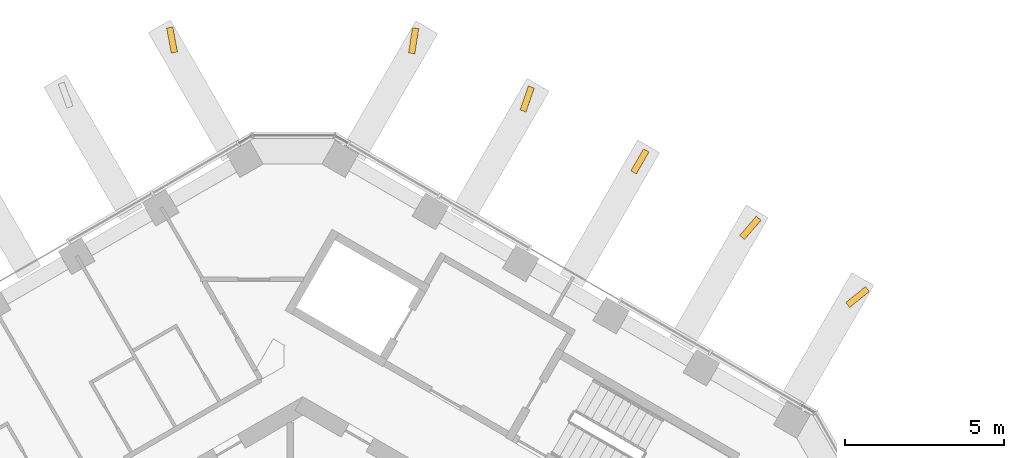
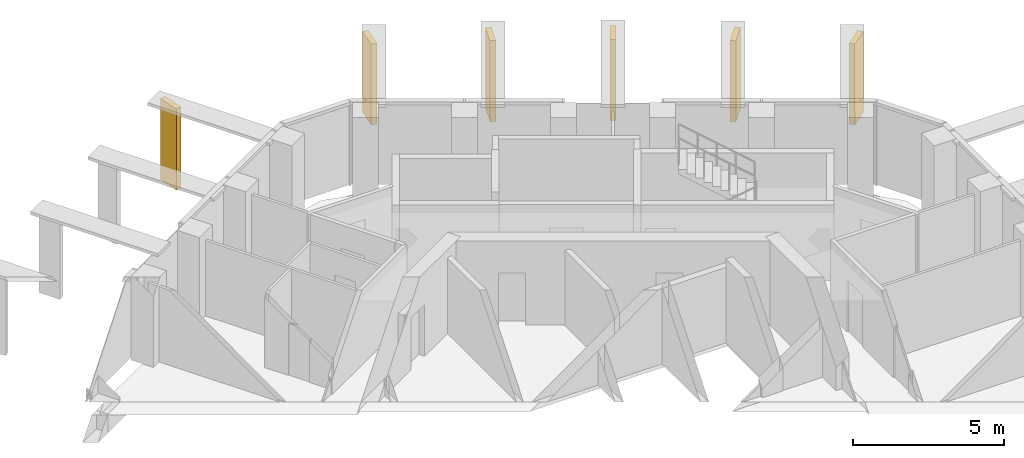
# One storey, part 19 of 19: 6 shading devices.
"""IFC4 building model written with IfcOpenShell, lengths in metres."""

from ifc_helpers import new_model, si_unit, direction, frame, origin, place, context, subcontext, project, spatial, polyline, outline, extrude, material, layer, layer_set, type_object, element, save


model = new_model("IFC4")

# Units and contexts
model_context = context("Model", 3, precision=1e-05, world=origin(), true_north=direction((0.0, 1.0)))
body_context = subcontext(model_context, "Body", "Model", "MODEL_VIEW")
ifc_project = project(units=[si_unit("LENGTHUNIT", "METRE"), si_unit("AREAUNIT", "SQUARE_METRE"), si_unit("VOLUMEUNIT", "CUBIC_METRE"), si_unit("PLANEANGLEUNIT", "RADIAN"), si_unit("MASSUNIT", "GRAM", prefix="KILO")], contexts=[model_context])

# Site, building, storey
site_placement = place(None, origin())
site = spatial("IfcSite", under=ifc_project, at=site_placement, CompositionType="ELEMENT")
building_placement = place(site_placement, origin())
building = spatial("IfcBuilding", under=site, at=building_placement, Name="Ayvan Gate Tower", CompositionType="ELEMENT")
storey_placement = place(building_placement, frame((0.0, 0.0, 235.89990234375)))
storey = spatial("IfcBuildingStorey", under=building, at=storey_placement, Name="L63", CompositionType="ELEMENT", Elevation=235.89990234375)

# Shading devices
ifc_material = material(Name="Bronze anodised aluminium", Category="aluminium")
ifc_layer = layer(ifc_material, 0.199951171875)
ifc_layer_set = layer_set([ifc_layer], Name="Bronze anodised aluminium")
shading_device_type = type_object("IfcShadingDeviceType", Name="Crown frame rib 800 x 200", PredefinedType="USERDEFINED", material=ifc_layer_set)
shading_device_1_placement = place(storey_placement, frame((-3.94384765625, 21.818115234375, 0.0), z_axis=(0.98320897077, 0.182482608479, 0.000466261187), x_axis=(-0.182482628315, 0.983209077645, 0.0)))
element("IfcShadingDevice", 1, at=shading_device_1_placement, inside=storey, type_object=shading_device_type, Name="CROWN FRAME rib FR01.3.1", ObjectType="FIN", PredefinedType="USERDEFINED", context=body_context, shape_type="SweptSolid", body=[
    extrude(outline(polyline([(0.0, 0.0), (0.8000547509531488, -1.3552527156068805e-20), (0.7998419769332763, 3.280029653413413), (-0.00021277401987265283, 3.280029653413413), (0.0, 0.0)])), origin(), (0.0, 0.0, -1.0), 0.199951171875),
])
shading_device_2_placement = place(storey_placement, frame((17.20654296875, 13.77490234375, 0.0), z_axis=(0.6285394745, -0.777777543464, 0.000471040311), x_axis=(0.77777762978, 0.628539544193, -1.01082e-07)))
element("IfcShadingDevice", 2, at=shading_device_2_placement, inside=storey, type_object=shading_device_type, Name="CROWN FRAME rib FR01.2.1", ObjectType="FIN", PredefinedType="USERDEFINED", context=body_context, shape_type="SweptSolid", body=[
    extrude(outline(polyline([(0.0, 0.0), (0.799980004834401, -2.710505431213761e-20), (0.799797497886252, 3.2800297416046886), (-0.0001460718686600794, 3.28002957988179), (0.0, 0.0)])), origin(), (0.0, 0.0, -1.0), 0.199951171875),
])
shading_device_3_placement = place(storey_placement, frame((13.896484375, 15.91455078125, 0.0), z_axis=(0.756297803784, -0.65422735175, 0.000451900614), x_axis=(0.654227418536, 0.75629788102, 4.5102e-08)))
element("IfcShadingDevice", 3, at=shading_device_3_placement, inside=storey, type_object=shading_device_type, Name="CROWN FRAME rib FR01.2.2", ObjectType="FIN", PredefinedType="USERDEFINED", context=body_context, shape_type="SweptSolid", body=[
    extrude(outline(polyline([(0.0, 0.0), (0.8001772540015584, -2.710505431213761e-20), (0.7999327135951397, 3.2800295957107344), (-5.9897369060182296e-05, 3.2800296678815504), (0.0, 0.0)])), origin(), (0.0, 0.0, -1.0), 0.199951171875),
])
shading_device_4_placement = place(storey_placement, frame((10.494384765625, 17.97705078125, 0.0), z_axis=(0.865989817046, -0.50006143268, 0.0004475696), x_axis=(0.50006148273, 0.865989903804, 9.3293e-08)))
element("IfcShadingDevice", 4, at=shading_device_4_placement, inside=storey, type_object=shading_device_type, Name="CROWN FRAME rib FR01.2.3", ObjectType="FIN", PredefinedType="USERDEFINED", context=body_context, shape_type="SweptSolid", body=[
    extrude(outline(polyline([(0.0, 0.0), (0.7999951307877236, 0.0), (0.7998078568104179, 3.2800295507837225), (-9.793598387938637e-05, 3.2800297000437157), (0.0, 0.0)])), origin(), (0.0, 0.0, -1.0), 0.199951171875),
])
shading_device_5_placement = place(storey_placement, frame((7.02294921875, 19.926513671875, 0.0), z_axis=(0.944768077695, -0.327739313774, 0.000470717313), x_axis=(0.327739350084, 0.944768182364, 0.0)))
element("IfcShadingDevice", 5, at=shading_device_5_placement, inside=storey, type_object=shading_device_type, Name="CROWN FRAME rib FR01.2.4", ObjectType="FIN", PredefinedType="USERDEFINED", context=body_context, shape_type="SweptSolid", body=[
    extrude(outline(polyline([(0.0, 0.0), (0.8000474498505256, 0.0), (0.8000286755009715, 3.280029660260959), (-1.877434955414799e-05, 3.280029660260959), (0.0, 0.0)])), origin(), (0.0, 0.0, -1.0), 0.199951171875),
])
shading_device_6_placement = place(storey_placement, frame((3.523681640625, 21.7578125, 0.0), z_axis=(0.987861646992, -0.155335674488, 0.000441173791), x_axis=(0.155335689605, 0.987861743127, 0.0)))
element("IfcShadingDevice", 6, at=shading_device_6_placement, inside=storey, type_object=shading_device_type, Name="CROWN FRAME rib FR01.2.5", ObjectType="FIN", PredefinedType="USERDEFINED", context=body_context, shape_type="SweptSolid", body=[
    extrude(outline(polyline([(0.0, 0.0), (0.7999937325470513, 0.0), (0.7997661900329812, 3.280029616078173), (-0.00022754251407005468, 3.280029616078173), (0.0, 0.0)])), origin(), (0.0, 0.0, -1.0), 0.199951171875),
])

save(model, "model.ifc")
